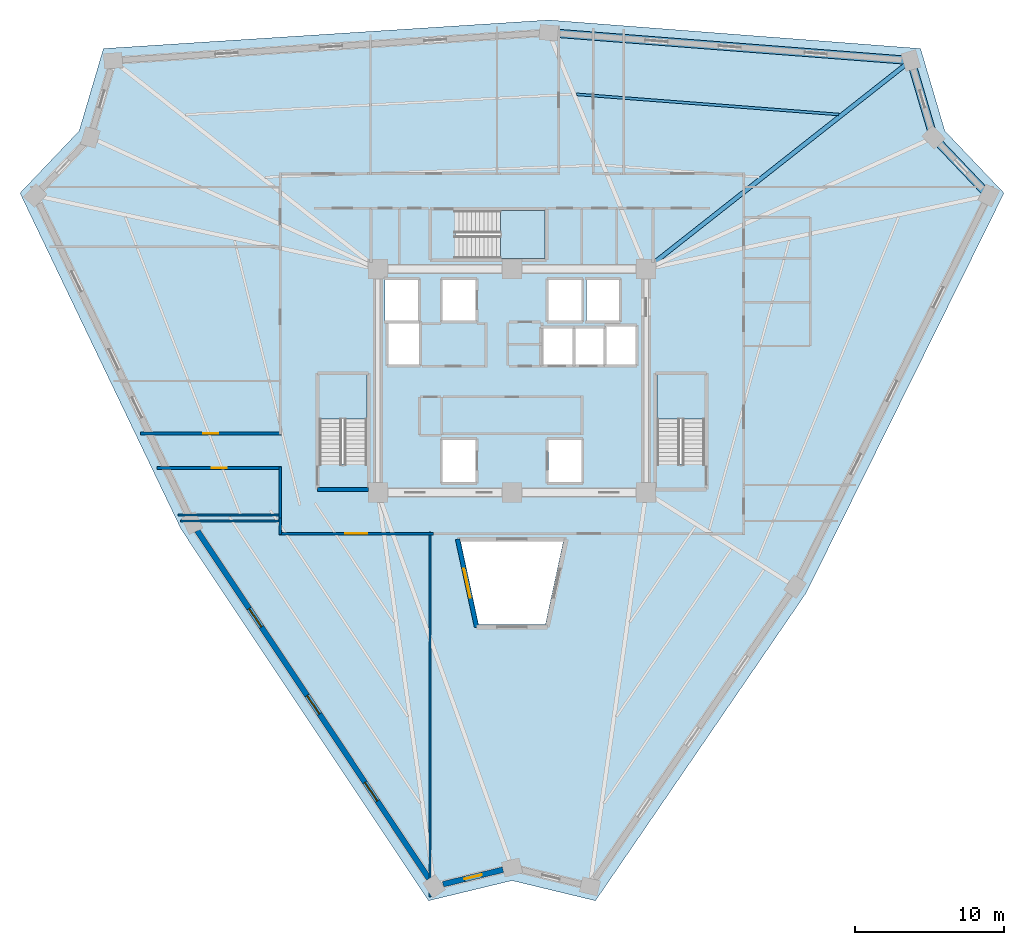
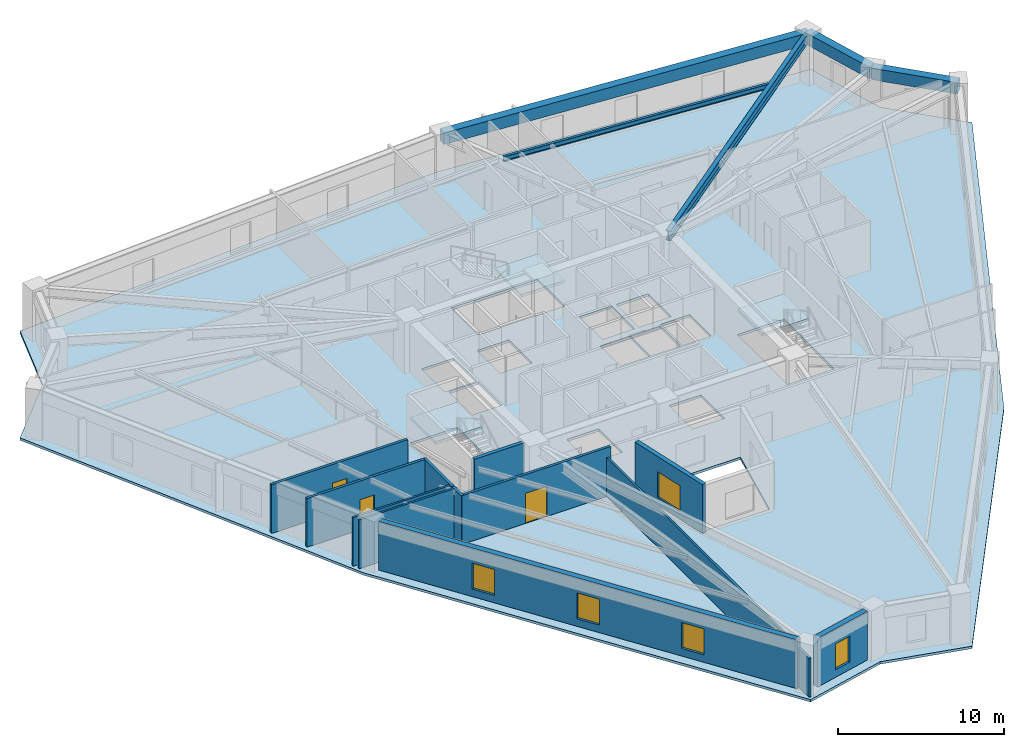
# One storey, part 2 of 8: 12 walls, 5 beams, 5 windows, 4 slabs, 3 doors, 8 openings, 3 elements without a shape of their own.
"""IFC4 building model written with IfcOpenShell, lengths in metres."""

from ifc_helpers import new_model, si_unit, direction, frame, frame_2d, origin, origin_2d, place, context, subcontext, project, spatial, polyline, rectangle, i_section, outline, extrude, source, transform, mapped, material, layer, layer_set, material_profile, profile_set, type_object, element, fill, aggregate, save


model = new_model("IFC4")

# Units and contexts
model_context = context("Model", 3, precision=1e-05, world=origin(), true_north=direction((0.0, 1.0)))
body_context = subcontext(model_context, "Body", "Model", "MODEL_VIEW")
ifc_project = project(units=[si_unit("LENGTHUNIT", "METRE"), si_unit("AREAUNIT", "SQUARE_METRE"), si_unit("VOLUMEUNIT", "CUBIC_METRE"), si_unit("PLANEANGLEUNIT", "RADIAN"), si_unit("MASSUNIT", "GRAM", prefix="KILO")], contexts=[model_context])

# Site, building, storey
site_placement = place(None, origin())
site = spatial("IfcSite", under=ifc_project, at=site_placement, CompositionType="ELEMENT")
building_placement = place(site_placement, origin())
building = spatial("IfcBuilding", under=site, at=building_placement, Name="Liaohun Quay Tower", CompositionType="ELEMENT")
storey_placement = place(building_placement, frame((0.0, 0.0, 247.5)))
storey = spatial("IfcBuildingStorey", under=building, at=storey_placement, Name="L64", CompositionType="ELEMENT", Elevation=247.5)

# Beams
ifc_material_1 = material(Name="Steel Q355D", Category="steel")
ifc_material_profile_1 = material_profile(ifc_material_1, i_section(OverallWidth=0.300048828125, OverallDepth=0.699951171875, WebThickness=0.012939453125, FlangeThickness=0.02392578125, at=origin_2d()), Name="HN700x300x13x24")
ifc_profile_set_1 = profile_set([ifc_material_profile_1], Name="Steel Q355D")
beam_type_1 = type_object("IfcBeamType", Name="BM-RAD-U1", PredefinedType="BEAM", material=ifc_profile_set_1)
shared_shape_1 = source(origin(), body_context, "Body", "SweptSolid", [
    extrude(i_section(OverallWidth=0.300048828125, OverallDepth=0.699951171875, WebThickness=0.012939453125, FlangeThickness=0.02392578125, at=origin_2d()), origin(), (0.0, 0.0, 1.0), 22.62939453125),
])
beam_1_placement = place(storey_placement, frame((69.0, 61.5, 3.219970703125), z_axis=(0.785620385804, 0.618708824415, 0.0), x_axis=(-0.618708824415, 0.785620385804, 0.0)))
element("IfcBeam", 1, at=beam_1_placement, inside=storey, type_object=beam_type_1, Name="L64 Radial Primary Girder CC4-PC07", PredefinedType="BEAM", context=body_context, shape_type="MappedRepresentation", body=[
    mapped(shared_shape_1, transform((0.0, 0.0, 0.0), x_axis=(1.0, 0.0, 0.0), y_axis=(0.0, 1.0, 0.0), z_axis=(0.0, 0.0, 1.0), scale=1.0)),
])
ifc_material_profile_2 = material_profile(ifc_material_1, i_section(OverallWidth=0.175048828125, OverallDepth=0.35009765625, WebThickness=0.007080078125, FlangeThickness=0.010986328125, at=origin_2d()), Name="HN350x175x7x11")
ifc_profile_set_2 = profile_set([ifc_material_profile_2], Name="Steel Q355D")
beam_type_2 = type_object("IfcBeamType", Name="BM-SEC-J3", PredefinedType="JOIST", material=ifc_profile_set_2)
shared_shape_2 = source(origin(), body_context, "Body", "SweptSolid", [
    extrude(i_section(OverallWidth=0.175048828125, OverallDepth=0.35009765625, WebThickness=0.007080078125, FlangeThickness=0.010986328125, at=origin_2d()), origin(), (0.0, 0.0, 1.0), 17.656005859375),
])
beam_2_placement = place(storey_placement, frame((64.3310546875, 73.23095703125, 3.39501953125), z_axis=(0.997059363844, -0.076633054037, 0.0), x_axis=(0.076633054037, 0.997059363844, 0.0)))
element("IfcBeam", 2, at=beam_2_placement, inside=storey, type_object=beam_type_2, Name="L64 Wing Secondary Floor Joist SJ-09", PredefinedType="JOIST", context=body_context, shape_type="MappedRepresentation", body=[
    mapped(shared_shape_2, transform((0.0, 0.0, 0.0), x_axis=(1.0, 0.0, 0.0), y_axis=(0.0, 1.0, 0.0), z_axis=(0.0, 0.0, 1.0), scale=1.0)),
])
ifc_material_2 = material(Name="Precast concrete C50", Category="concrete")
ifc_material_profile_3 = material_profile(ifc_material_2, rectangle(XDim=0.550048828125, YDim=0.85009765625, at=origin_2d()), Name="RC550x850")
ifc_profile_set_3 = profile_set([ifc_material_profile_3], Name="Precast concrete C50")
beam_type_3 = type_object("IfcBeamType", Name="BM-SPD-Z3", PredefinedType="SPANDREL", material=ifc_profile_set_3)
shared_shape_3 = source(origin(), body_context, "Body", "SweptSolid", [
    extrude(rectangle(XDim=0.550048828125, YDim=0.85009765625, at=origin_2d()), origin(), (0.0, 0.0, 1.0), 24.3857421875),
])
beam_3_placement = place(storey_placement, frame((62.464111328125, 77.3701171875, 3.14501953125), z_axis=(0.997058135672, -0.076649031898, 0.0), x_axis=(0.076649031898, 0.997058135672, 0.0)))
element("IfcBeam", 3, at=beam_3_placement, inside=storey, type_object=beam_type_3, Name="L64 Precast Spandrel Beam PC06-PC07", PredefinedType="SPANDREL", context=body_context, shape_type="MappedRepresentation", body=[
    mapped(shared_shape_3, transform((0.0, 0.0, 0.0), x_axis=(1.0, 0.0, 0.0), y_axis=(0.0, 1.0, 0.0), z_axis=(0.0, 0.0, 1.0), scale=1.0)),
])
shared_shape_4 = source(origin(), body_context, "Body", "SweptSolid", [
    extrude(rectangle(XDim=0.550048828125, YDim=0.85009765625, at=origin_2d()), origin(), (0.0, 0.0, 1.0), 5.3818359375),
])
beam_4_placement = place(storey_placement, frame((86.778076171875, 75.5009765625, 3.14501953125), z_axis=(0.282979158673, -0.959126058324, 0.0), x_axis=(0.959126058324, 0.282979158673, 0.0)))
element("IfcBeam", 4, at=beam_4_placement, inside=storey, type_object=beam_type_3, Name="L64 Precast Spandrel Beam PC07-PC08", PredefinedType="SPANDREL", context=body_context, shape_type="MappedRepresentation", body=[
    mapped(shared_shape_4, transform((0.0, 0.0, 0.0), x_axis=(1.0, 0.0, 0.0), y_axis=(0.0, 1.0, 0.0), z_axis=(0.0, 0.0, 1.0), scale=1.0)),
])
shared_shape_5 = source(origin(), body_context, "Body", "SweptSolid", [
    extrude(rectangle(XDim=0.550048828125, YDim=0.85009765625, at=origin_2d()), origin(), (0.0, 0.0, 1.0), 5.37353515625),
])
beam_5_placement = place(storey_placement, frame((88.301025390625, 70.339111328125, 3.14501953125), z_axis=(0.689281829079, -0.724493312669, 0.0), x_axis=(0.724493312669, 0.689281829079, 0.0)))
element("IfcBeam", 5, at=beam_5_placement, inside=storey, type_object=beam_type_3, Name="L64 Precast Spandrel Beam PC08-PC09", PredefinedType="SPANDREL", context=body_context, shape_type="MappedRepresentation", body=[
    mapped(shared_shape_5, transform((0.0, 0.0, 0.0), x_axis=(1.0, 0.0, 0.0), y_axis=(0.0, 1.0, 0.0), z_axis=(0.0, 0.0, 1.0), scale=1.0)),
])

# Stair, slab
ifc_material_3 = material(Name="Concrete C45", Category="concrete")
stair_type = type_object("IfcStairType", Name="STR-CORE-OFF", PredefinedType="HALF_TURN_STAIR", material=ifc_material_3)
stair_1_placement = place(storey_placement, origin())
stair_1 = element("IfcStair", 6, at=stair_1_placement, inside=storey, type_object=stair_type, Name="L64 Smokeproof Core Exit Stair ST-1", PredefinedType="HALF_TURN_STAIR")
ifc_layer_1 = layer(ifc_material_3, 0.199951171875, Name="Concrete C45", Category="concrete")
ifc_layer_set_1 = layer_set([ifc_layer_1], Name="Concrete C45")
slab_type_1 = type_object("IfcSlabType", Name="SLB-LND-200", PredefinedType="LANDING", material=ifc_layer_set_1)
slab_1_placement = place(storey_placement, frame((0.0, 0.0, 1.675048828125)))
slab_1 = element("IfcSlab", 7, at=slab_1_placement, type_object=slab_type_1, Name="ST-1 landing 1", PredefinedType="LANDING", context=body_context, shape_type="SweptSolid", body=[
    extrude(outline(polyline([(50.280029296875, 51.429931640625), (50.280029296875, 54.419921875), (47.0400390625, 54.419921875), (47.0400390625, 51.429931640625), (50.280029296875, 51.429931640625)])), origin(), (0.0, 0.0, 1.0), 0.199951171875),
])
aggregate(stair_1, [slab_1])

stair_2_placement = place(storey_placement, origin())
stair_2 = element("IfcStair", 8, at=stair_2_placement, inside=storey, type_object=stair_type, Name="L64 Smokeproof Core Exit Stair ST-2", PredefinedType="HALF_TURN_STAIR")
slab_2_placement = place(storey_placement, frame((0.0, 0.0, 1.675048828125)))
slab_2 = element("IfcSlab", 9, at=slab_2_placement, type_object=slab_type_1, Name="ST-2 landing 1", PredefinedType="LANDING", context=body_context, shape_type="SweptSolid", body=[
    extrude(outline(polyline([(72.9599609375, 51.429931640625), (72.9599609375, 54.419921875), (69.719970703125, 54.419921875), (69.719970703125, 51.429931640625), (72.9599609375, 51.429931640625)])), origin(), (0.0, 0.0, 1.0), 0.199951171875),
])
aggregate(stair_2, [slab_2])

stair_3_placement = place(storey_placement, origin())
stair_3 = element("IfcStair", 10, at=stair_3_placement, inside=storey, type_object=stair_type, Name="L64 Smokeproof Core Exit Stair ST-3", PredefinedType="HALF_TURN_STAIR")
slab_3_placement = place(storey_placement, frame((0.0, 0.0, 1.675048828125)))
slab_3 = element("IfcSlab", 11, at=slab_3_placement, type_object=slab_type_1, Name="ST-3 landing 1", PredefinedType="LANDING", context=body_context, shape_type="SweptSolid", body=[
    extrude(outline(polyline([(59.22998046875, 62.199951171875), (62.219970703125, 62.199951171875), (62.219970703125, 65.43994140625), (59.22998046875, 65.43994140625), (59.22998046875, 62.199951171875)])), origin(), (0.0, 0.0, 1.0), 0.199951171875),
])
aggregate(stair_3, [slab_3])

# Slab
ifc_layer_2 = layer(ifc_material_3, 0.179931640625, Name="Concrete C45", Category="concrete")
ifc_layer_set_2 = layer_set([ifc_layer_2], Name="Concrete C45")
slab_type_2 = type_object("IfcSlabType", Name="SLB-OFF-180", PredefinedType="FLOOR", material=ifc_layer_set_2)
slab_4_placement = place(storey_placement, frame((0.0, 0.0, -0.179931640625)))
element("IfcSlab", 12, at=slab_4_placement, inside=storey, type_object=slab_type_2, Name="L64 Structural Floor Slab", PredefinedType="FLOOR", context=body_context, shape_type="SweptSolid", body=[
    extrude(outline(polyline([(54.39794921875, 19.093994140625), (60.0, 20.447021484375), (65.60205078125, 19.093994140625), (79.742919921875, 39.7509765625), (93.030029296875, 66.60205078125), (89.05810546875, 70.77587890625), (87.427978515625, 76.303955078125), (62.468994140625, 78.221923828125), (32.572021484375, 76.303955078125), (30.94189453125, 70.77587890625), (26.969970703125, 66.60205078125), (37.7890625, 44.027099609375), (54.39794921875, 19.093994140625)]), holes=[polyline([(63.444091796875, 43.199951171875), (56.555908203125, 43.199951171875), (57.760986328125, 37.6240234375), (62.239013671875, 37.6240234375), (63.444091796875, 43.199951171875)]), polyline([(57.56005859375, 47.2099609375), (57.56005859375, 50.030029296875), (55.340087890625, 50.030029296875), (55.340087890625, 47.2099609375), (57.56005859375, 47.2099609375)]), polyline([(50.280029296875, 54.419921875), (47.0400390625, 54.419921875), (47.0400390625, 48.409912109375), (50.280029296875, 48.409912109375), (50.280029296875, 54.419921875)]), polyline([(53.760009765625, 55.090087890625), (53.760009765625, 57.909912109375), (51.7099609375, 57.909912109375), (51.7099609375, 55.090087890625), (53.760009765625, 55.090087890625)]), polyline([(53.7099609375, 58.0400390625), (53.7099609375, 60.7900390625), (51.489990234375, 60.7900390625), (51.489990234375, 58.0400390625), (53.7099609375, 58.0400390625)]), polyline([(57.56005859375, 58.0400390625), (57.56005859375, 60.7900390625), (55.340087890625, 60.7900390625), (55.340087890625, 58.0400390625), (57.56005859375, 58.0400390625)]), polyline([(62.219970703125, 62.199951171875), (62.219970703125, 65.43994140625), (56.2099609375, 65.43994140625), (56.2099609375, 62.199951171875), (62.219970703125, 62.199951171875)]), polyline([(64.659912109375, 50.030029296875), (62.43994140625, 50.030029296875), (62.43994140625, 47.2099609375), (64.659912109375, 47.2099609375), (64.659912109375, 50.030029296875)]), polyline([(72.9599609375, 54.419921875), (69.719970703125, 54.419921875), (69.719970703125, 48.409912109375), (72.9599609375, 48.409912109375), (72.9599609375, 54.419921875)]), polyline([(64.06005859375, 55.090087890625), (64.06005859375, 57.510009765625), (61.989990234375, 57.510009765625), (61.989990234375, 55.090087890625), (64.06005859375, 55.090087890625)]), polyline([(66.159912109375, 55.090087890625), (66.159912109375, 57.510009765625), (64.090087890625, 57.510009765625), (64.090087890625, 55.090087890625), (66.159912109375, 55.090087890625)]), polyline([(68.2900390625, 55.090087890625), (68.2900390625, 57.659912109375), (66.2900390625, 57.659912109375), (66.2900390625, 55.090087890625), (68.2900390625, 55.090087890625)]), polyline([(64.659912109375, 58.0400390625), (64.659912109375, 60.7900390625), (62.43994140625, 60.7900390625), (62.43994140625, 58.0400390625), (64.659912109375, 58.0400390625)]), polyline([(67.2099609375, 58.0400390625), (67.2099609375, 60.7900390625), (64.989990234375, 60.7900390625), (64.989990234375, 58.0400390625), (67.2099609375, 58.0400390625)])]), origin(), (0.0, 0.0, 1.0), 0.179931640625),
])

# Wall, opening, window
ifc_material_4 = material(Name="Concrete C50", Category="concrete")
ifc_layer_3 = layer(ifc_material_4, 0.300048828125, Name="Concrete C50", Category="concrete")
ifc_layer_set_3 = layer_set([ifc_layer_3], Name="Concrete C50")
wall_type_1 = type_object("IfcWallType", Name="WAL-ATR-300", PredefinedType="SOLIDWALL", material=ifc_layer_set_3)
wall_1_placement = place(storey_placement, frame((57.6240234375, 37.4541015625, 0.0), z_axis=(0.0, 0.0, 1.0), x_axis=(-0.211319253415, 0.977417092717, 0.0)))
wall_1 = element("IfcWall", 13, at=wall_1_placement, inside=storey, type_object=wall_type_1, Name="L64 Atrium Fire Compartment Wall 1", PredefinedType="SOLIDWALL", context=body_context, shape_type="SweptSolid", body=[
    extrude(rectangle(XDim=6.052734375, YDim=0.300048828125, at=frame_2d((3.0263671875, 0.0))), origin(), (0.0, 0.0, 1.0), 3.570068359375),
])
shared_shape_6 = source(origin(), body_context, "Body", "SweptSolid", [
    extrude(rectangle(XDim=2.0, YDim=1.89990234375, at=frame_2d((1.0, 0.949951171875))), frame((0.0, 0.159912109375, 0.0), z_axis=(0.0, -1.0, 0.0), x_axis=(1.0, 0.0, 0.0)), (0.0, 0.0, 1.0), 0.320068359375),
])
opening_1_placement = place(wall_1_placement, frame((2.02587890625, 0.0, 0.550048828125)))
opening_1 = element("IfcOpeningElement", 14, at=opening_1_placement, cuts=wall_1, Name="Opening W07", PredefinedType="OPENING", context=body_context, shape_type="MappedRepresentation", body=[
    mapped(shared_shape_6, transform((0.0, 0.0, 0.0), x_axis=(1.0, 0.0, 0.0), y_axis=(0.0, 1.0, 0.0), z_axis=(0.0, 0.0, 1.0), scale=1.0)),
])
ifc_material_5 = material(Name="Class A 180-min fire-resistant insulated glazing", Category="glass")
window_type_1 = type_object("IfcWindowType", Name="WIN-ATR-FIR", PartitioningType="DOUBLE_PANEL_VERTICAL", PredefinedType="WINDOW", material=ifc_material_5)
shared_shape_7 = source(origin(), body_context, "Body", "SweptSolid", [
    extrude(rectangle(XDim=2.0, YDim=1.89990234375, at=frame_2d((1.0, 0.949951171875))), frame((0.0, 0.030029296875, 0.0), z_axis=(0.0, -1.0, 0.0), x_axis=(1.0, 0.0, 0.0)), (0.0, 0.0, 1.0), 0.06005859375),
])
window_1_placement = place(opening_1_placement, origin())
window_1 = element("IfcWindow", 15, at=window_1_placement, inside=storey, type_object=window_type_1, Name="L64 Atrium Fire-Resistant Glazing W07-1", OverallHeight=1.89990234375, OverallWidth=2.0, PartitioningType="DOUBLE_PANEL_VERTICAL", PredefinedType="WINDOW", context=body_context, shape_type="MappedRepresentation", body=[
    mapped(shared_shape_7, transform((0.0, 0.0, 0.0), x_axis=(1.0, 0.0, 0.0), y_axis=(0.0, 1.0, 0.0), z_axis=(0.0, 0.0, 1.0), scale=1.0)),
])
fill(opening_1, window_1)

# Wall, openings, windows
ifc_material_6 = material(Name="Precast concrete C50 insulated sandwich", Category="concrete")
ifc_layer_4 = layer(ifc_material_6, 0.3798828125, Name="Precast concrete C50 insulated sandwich", Category="concrete")
ifc_layer_set_4 = layer_set([ifc_layer_4], Name="Precast concrete C50 insulated sandwich")
wall_type_2 = type_object("IfcWallType", Name="WAL-EXT-Z34", PredefinedType="SOLIDWALL", material=ifc_layer_set_4)
wall_2_placement = place(storey_placement, frame((38.87109375, 43.93603515625, 0.0), z_axis=(0.0, 0.0, 1.0), x_axis=(0.554403141281, -0.832248254391, 0.0)))
wall_2 = element("IfcWall", 16, at=wall_2_placement, inside=storey, type_object=wall_type_2, Name="L64 Brutalist Precast Pier Wall 11", PredefinedType="SOLIDWALL", context=body_context, shape_type="SweptSolid", body=[
    extrude(rectangle(XDim=28.073486328125, YDim=0.3798828125, at=frame_2d((14.03662109375, 0.0))), origin(), (0.0, 0.0, 1.0), 3.570068359375),
])
shared_shape_8 = source(origin(), body_context, "Body", "SweptSolid", [
    extrude(rectangle(XDim=1.5, YDim=1.89990234375, at=frame_2d((0.75, 0.949951171875))), frame((0.0, 0.199951171875, 0.0), z_axis=(0.0, -1.0, 0.0), x_axis=(1.0, 0.0, 0.0)), (0.0, 0.0, 1.0), 0.39990234375),
])
opening_2_placement = place(wall_2_placement, frame((6.26806640625, 0.0, 0.550048828125)))
opening_2 = element("IfcOpeningElement", 17, at=opening_2_placement, cuts=wall_2, Name="Opening W03", PredefinedType="OPENING", context=body_context, shape_type="MappedRepresentation", body=[
    mapped(shared_shape_8, transform((0.0, 0.0, 0.0), x_axis=(1.0, 0.0, 0.0), y_axis=(0.0, 1.0, 0.0), z_axis=(0.0, 0.0, 1.0), scale=1.0)),
])
opening_3_placement = place(wall_2_placement, frame((13.287109375, 0.0, 0.550048828125)))
opening_3 = element("IfcOpeningElement", 18, at=opening_3_placement, cuts=wall_2, Name="Opening W03", PredefinedType="OPENING", context=body_context, shape_type="MappedRepresentation", body=[
    mapped(shared_shape_8, transform((0.0, 0.0, 0.0), x_axis=(1.0, 0.0, 0.0), y_axis=(0.0, 1.0, 0.0), z_axis=(0.0, 0.0, 1.0), scale=1.0)),
])
opening_4_placement = place(wall_2_placement, frame((20.304931640625, 0.0, 0.550048828125)))
opening_4 = element("IfcOpeningElement", 19, at=opening_4_placement, cuts=wall_2, Name="Opening W03", PredefinedType="OPENING", context=body_context, shape_type="MappedRepresentation", body=[
    mapped(shared_shape_8, transform((0.0, 0.0, 0.0), x_axis=(1.0, 0.0, 0.0), y_axis=(0.0, 1.0, 0.0), z_axis=(0.0, 0.0, 1.0), scale=1.0)),
])
ifc_material_7 = material(Name="Triple Low-E argon glazing in thermally broken aluminium", Category="aluminium")
window_type_2 = type_object("IfcWindowType", Name="WIN-PUN-Z3", PartitioningType="DOUBLE_PANEL_VERTICAL", PredefinedType="WINDOW", material=ifc_material_7)
shared_shape_9 = source(origin(), body_context, "Body", "SweptSolid", [
    extrude(rectangle(XDim=1.5, YDim=1.89990234375, at=frame_2d((0.75, 0.949951171875))), frame((0.0, 0.030029296875, 0.0), z_axis=(0.0, -1.0, 0.0), x_axis=(1.0, 0.0, 0.0)), (0.0, 0.0, 1.0), 0.06005859375),
])
window_2_placement = place(opening_2_placement, origin())
window_2 = element("IfcWindow", 20, at=window_2_placement, inside=storey, type_object=window_type_2, Name="L64 Recessed Cold-Climate Punched Window 11-1", OverallHeight=1.89990234375, OverallWidth=1.5, PartitioningType="DOUBLE_PANEL_VERTICAL", PredefinedType="WINDOW", context=body_context, shape_type="MappedRepresentation", body=[
    mapped(shared_shape_9, transform((0.0, 0.0, 0.0), x_axis=(1.0, 0.0, 0.0), y_axis=(0.0, 1.0, 0.0), z_axis=(0.0, 0.0, 1.0), scale=1.0)),
])
fill(opening_2, window_2)
window_3_placement = place(opening_3_placement, origin())
window_3 = element("IfcWindow", 21, at=window_3_placement, inside=storey, type_object=window_type_2, Name="L64 Recessed Cold-Climate Punched Window 11-2", OverallHeight=1.89990234375, OverallWidth=1.5, PartitioningType="DOUBLE_PANEL_VERTICAL", PredefinedType="WINDOW", context=body_context, shape_type="MappedRepresentation", body=[
    mapped(shared_shape_9, transform((0.0, 0.0, 0.0), x_axis=(1.0, 0.0, 0.0), y_axis=(0.0, 1.0, 0.0), z_axis=(0.0, 0.0, 1.0), scale=1.0)),
])
fill(opening_3, window_3)
window_4_placement = place(opening_4_placement, origin())
window_4 = element("IfcWindow", 22, at=window_4_placement, inside=storey, type_object=window_type_2, Name="L64 Recessed Cold-Climate Punched Window 11-3", OverallHeight=1.89990234375, OverallWidth=1.5, PartitioningType="DOUBLE_PANEL_VERTICAL", PredefinedType="WINDOW", context=body_context, shape_type="MappedRepresentation", body=[
    mapped(shared_shape_9, transform((0.0, 0.0, 0.0), x_axis=(1.0, 0.0, 0.0), y_axis=(0.0, 1.0, 0.0), z_axis=(0.0, 0.0, 1.0), scale=1.0)),
])
fill(opening_4, window_4)

# Wall, opening, window
wall_3_placement = place(storey_placement, frame((55.3740234375, 20.2041015625, 0.0), z_axis=(0.0, 0.0, 1.0), x_axis=(0.972048835294, 0.234778750751, 0.0)))
wall_3 = element("IfcWall", 23, at=wall_3_placement, inside=storey, type_object=wall_type_2, Name="L64 Brutalist Precast Pier Wall 12", PredefinedType="SOLIDWALL", context=body_context, shape_type="SweptSolid", body=[
    extrude(rectangle(XDim=4.143798828125, YDim=0.3798828125, at=frame_2d((2.07177734375, 0.0))), origin(), (0.0, 0.0, 1.0), 3.570068359375),
])
shared_shape_10 = source(origin(), body_context, "Body", "SweptSolid", [
    extrude(rectangle(XDim=1.199951171875, YDim=1.89990234375, at=frame_2d((0.60009765625, 0.949951171875))), frame((0.0, 0.199951171875, 0.0), z_axis=(0.0, -1.0, 0.0), x_axis=(1.0, 0.0, 0.0)), (0.0, 0.0, 1.0), 0.39990234375),
])
opening_5_placement = place(wall_3_placement, frame((1.471923828125, 0.0, 0.550048828125)))
opening_5 = element("IfcOpeningElement", 24, at=opening_5_placement, cuts=wall_3, Name="Opening W05", PredefinedType="OPENING", context=body_context, shape_type="MappedRepresentation", body=[
    mapped(shared_shape_10, transform((0.0, 0.0, 0.0), x_axis=(1.0, 0.0, 0.0), y_axis=(0.0, 1.0, 0.0), z_axis=(0.0, 0.0, 1.0), scale=1.0)),
])
ifc_material_8 = material(Name="Triple Low-E corner notch glazing", Category="glass")
window_type_3 = type_object("IfcWindowType", Name="WIN-NOTCH", PartitioningType="SINGLE_PANEL", PredefinedType="WINDOW", material=ifc_material_8)
shared_shape_11 = source(origin(), body_context, "Body", "SweptSolid", [
    extrude(rectangle(XDim=1.199951171875, YDim=1.89990234375, at=frame_2d((0.60009765625, 0.949951171875))), frame((0.0, 0.030029296875, 0.0), z_axis=(0.0, -1.0, 0.0), x_axis=(1.0, 0.0, 0.0)), (0.0, 0.0, 1.0), 0.06005859375),
])
window_5_placement = place(opening_5_placement, origin())
window_5 = element("IfcWindow", 25, at=window_5_placement, inside=storey, type_object=window_type_3, Name="L64 Corner Notch Window W05-12", OverallHeight=1.89990234375, OverallWidth=1.199951171875, PartitioningType="SINGLE_PANEL", PredefinedType="WINDOW", context=body_context, shape_type="MappedRepresentation", body=[
    mapped(shared_shape_11, transform((0.0, 0.0, 0.0), x_axis=(1.0, 0.0, 0.0), y_axis=(0.0, 1.0, 0.0), z_axis=(0.0, 0.0, 1.0), scale=1.0)),
])
fill(opening_5, window_5)

# Wall, opening, door
ifc_material_9 = material(Name="Autoclaved aerated concrete blockwork", Category="masonry")
ifc_layer_5 = layer(ifc_material_9, 0.179931640625, Name="Autoclaved aerated concrete blockwork", Category="masonry")
ifc_layer_set_5 = layer_set([ifc_layer_5], Name="Autoclaved aerated concrete blockwork")
wall_type_3 = type_object("IfcWallType", Name="WAL-PRT-COR", PredefinedType="PARTITIONING", material=ifc_layer_set_5)
wall_4_placement = place(storey_placement, frame((35.056884765625, 50.4599609375, 0.0), z_axis=(0.0, 0.0, 1.0), x_axis=(1.0, 0.0, 0.0)))
wall_4 = element("IfcWall", 26, at=wall_4_placement, inside=storey, type_object=wall_type_3, Name="L64 Interior Partition Wall 024", PredefinedType="PARTITIONING", context=body_context, shape_type="SweptSolid", body=[
    extrude(rectangle(XDim=9.453125, YDim=0.179931640625, at=frame_2d((4.7265625, 0.0))), origin(), (0.0, 0.0, 1.0), 3.570068359375),
])
shared_shape_12 = source(origin(), body_context, "Body", "SweptSolid", [
    extrude(rectangle(XDim=1.0, YDim=2.199951171875, at=frame_2d((0.5, 1.10009765625))), frame((0.0, 0.099853515625, 0.0), z_axis=(0.0, -1.0, 0.0), x_axis=(1.0, 0.0, 0.0)), (0.0, 0.0, 1.0), 0.199951171875),
])
opening_6_placement = place(wall_4_placement, frame((4.22607421875, 0.0, 0.0)))
opening_6 = element("IfcOpeningElement", 27, at=opening_6_placement, cuts=wall_4, Name="Opening OD1", PredefinedType="OPENING", context=body_context, shape_type="MappedRepresentation", body=[
    mapped(shared_shape_12, transform((0.0, 0.0, 0.0), x_axis=(1.0, 0.0, 0.0), y_axis=(0.0, 1.0, 0.0), z_axis=(0.0, 0.0, 1.0), scale=1.0)),
])
ifc_material_10 = material(Name="Solid-core oak veneer timber leaf in steel frame", Category="steel")
door_type_1 = type_object("IfcDoorType", Name="DOR-OFF-1000", OperationType="NOTDEFINED", PredefinedType="DOOR", material=ifc_material_10)
shared_shape_13 = source(origin(), body_context, "Body", "SweptSolid", [
    extrude(rectangle(XDim=1.0, YDim=2.199951171875, at=frame_2d((0.5, 1.10009765625))), frame((0.0, 0.02490234375, 0.0), z_axis=(0.0, -1.0, 0.0), x_axis=(1.0, 0.0, 0.0)), (0.0, 0.0, 1.0), 0.050048828125),
])
door_1_placement = place(opening_6_placement, origin())
door_1 = element("IfcDoor", 28, at=door_1_placement, inside=storey, type_object=door_type_1, Name="L64 Records Archive Store 09 Door", OperationType="SINGLE_SWING_RIGHT", OverallHeight=2.199951171875, OverallWidth=1.0, PredefinedType="DOOR", context=body_context, shape_type="MappedRepresentation", body=[
    mapped(shared_shape_13, transform((0.0, 0.0, 0.0), x_axis=(1.0, 0.0, 0.0), y_axis=(0.0, 1.0, 0.0), z_axis=(0.0, 0.0, 1.0), scale=1.0)),
])
fill(opening_6, door_1)

wall_5_placement = place(storey_placement, frame((44.510009765625, 48.139892578125, 0.0), z_axis=(0.0, 0.0, 1.0), x_axis=(-1.0, 0.0, 0.0)))
wall_5 = element("IfcWall", 29, at=wall_5_placement, inside=storey, type_object=wall_type_3, Name="L64 Interior Partition Wall 025", PredefinedType="PARTITIONING", context=body_context, shape_type="SweptSolid", body=[
    extrude(rectangle(XDim=8.341064453125, YDim=0.179931640625, at=frame_2d((4.17041015625, 0.0))), origin(), (0.0, 0.0, 1.0), 3.570068359375),
])
opening_7_placement = place(wall_5_placement, frame((3.6708984375, 0.0, 0.0)))
opening_7 = element("IfcOpeningElement", 30, at=opening_7_placement, cuts=wall_5, Name="Opening OD1", PredefinedType="OPENING", context=body_context, shape_type="MappedRepresentation", body=[
    mapped(shared_shape_12, transform((0.0, 0.0, 0.0), x_axis=(1.0, 0.0, 0.0), y_axis=(0.0, 1.0, 0.0), z_axis=(0.0, 0.0, 1.0), scale=1.0)),
])
door_2_placement = place(opening_7_placement, origin())
door_2 = element("IfcDoor", 31, at=door_2_placement, inside=storey, type_object=door_type_1, Name="L64 Open-Plan Office Workplace 10 Door", OperationType="SINGLE_SWING_LEFT", OverallHeight=2.199951171875, OverallWidth=1.0, PredefinedType="DOOR", context=body_context, shape_type="MappedRepresentation", body=[
    mapped(shared_shape_13, transform((0.0, 0.0, 0.0), x_axis=(1.0, 0.0, 0.0), y_axis=(0.0, 1.0, 0.0), z_axis=(0.0, 0.0, 1.0), scale=1.0)),
])
fill(opening_7, door_2)

wall_6_placement = place(storey_placement, frame((54.715087890625, 43.739990234375, 0.0), z_axis=(0.0, 0.0, 1.0), x_axis=(-1.0, 0.0, 0.0)))
wall_6 = element("IfcWall", 32, at=wall_6_placement, inside=storey, type_object=wall_type_3, Name="L64 Interior Partition Wall 026", PredefinedType="PARTITIONING", context=body_context, shape_type="SweptSolid", body=[
    extrude(rectangle(XDim=10.344970703125, YDim=0.179931640625, at=frame_2d((5.17236328125, 0.0))), origin(), (0.0, 0.0, 1.0), 3.570068359375),
])
shared_shape_14 = source(origin(), body_context, "Body", "SweptSolid", [
    extrude(rectangle(XDim=1.5, YDim=2.199951171875, at=frame_2d((0.75, 1.10009765625))), frame((0.0, 0.099853515625, 0.0), z_axis=(0.0, -1.0, 0.0), x_axis=(1.0, 0.0, 0.0)), (0.0, 0.0, 1.0), 0.199951171875),
])
opening_8_placement = place(wall_6_placement, frame((4.423095703125, 0.0, 0.0)))
opening_8 = element("IfcOpeningElement", 33, at=opening_8_placement, cuts=wall_6, Name="Opening OD2", PredefinedType="OPENING", context=body_context, shape_type="MappedRepresentation", body=[
    mapped(shared_shape_14, transform((0.0, 0.0, 0.0), x_axis=(1.0, 0.0, 0.0), y_axis=(0.0, 1.0, 0.0), z_axis=(0.0, 0.0, 1.0), scale=1.0)),
])
ifc_material_11 = material(Name="Acoustic oak veneer double door")
door_type_2 = type_object("IfcDoorType", Name="DOR-OFF-1500", OperationType="DOUBLE_DOOR_SINGLE_SWING", PredefinedType="DOOR", material=ifc_material_11)
shared_shape_15 = source(origin(), body_context, "Body", "SweptSolid", [
    extrude(rectangle(XDim=1.5, YDim=2.199951171875, at=frame_2d((0.75, 1.10009765625))), frame((0.0, 0.02490234375, 0.0), z_axis=(0.0, -1.0, 0.0), x_axis=(1.0, 0.0, 0.0)), (0.0, 0.0, 1.0), 0.050048828125),
])
door_3_placement = place(opening_8_placement, origin())
door_3 = element("IfcDoor", 34, at=door_3_placement, inside=storey, type_object=door_type_2, Name="L64 Executive Partner Office 11 Door", OperationType="DOUBLE_DOOR_SINGLE_SWING", OverallHeight=2.199951171875, OverallWidth=1.5, PredefinedType="DOOR", context=body_context, shape_type="MappedRepresentation", body=[
    mapped(shared_shape_15, transform((0.0, 0.0, 0.0), x_axis=(1.0, 0.0, 0.0), y_axis=(0.0, 1.0, 0.0), z_axis=(0.0, 0.0, 1.0), scale=1.0)),
])
fill(opening_8, door_3)

# Walls
wall_7_placement = place(storey_placement, frame((44.43994140625, 44.784912109375, 0.0), z_axis=(0.0, 0.0, 1.0), x_axis=(0.0, 1.0, 0.0)))
element("IfcWall", 35, at=wall_7_placement, inside=storey, type_object=wall_type_3, Name="L64 Interior Partition Wall 051", PredefinedType="PARTITIONING", context=body_context, shape_type="SweptSolid", body=[
    extrude(rectangle(XDim=3.425048828125, YDim=0.179931640625, at=frame_2d((1.71240234375, 0.0))), origin(), (0.0, 0.0, 1.0), 3.570068359375),
])
wall_8_placement = place(storey_placement, frame((44.43994140625, 43.669921875, 0.0), z_axis=(0.0, 0.0, 1.0), x_axis=(0.0, 1.0, 0.0)))
element("IfcWall", 36, at=wall_8_placement, inside=storey, type_object=wall_type_3, Name="L64 Interior Partition Wall 052", PredefinedType="PARTITIONING", context=body_context, shape_type="SweptSolid", body=[
    extrude(rectangle(XDim=1.114990234375, YDim=0.179931640625, at=frame_2d((0.5576171875, 0.0))), origin(), (0.0, 0.0, 1.0), 3.570068359375),
])
ifc_material_12 = material(Name="Gypsum board on twin steel studs", Category="steel")
ifc_layer_6 = layer(ifc_material_12, 0.139892578125, Name="Gypsum board on twin steel studs", Category="steel")
ifc_layer_set_6 = layer_set([ifc_layer_6], Name="Gypsum board on twin steel studs")
wall_type_4 = type_object("IfcWallType", Name="WAL-PRT-OFF", PredefinedType="PARTITIONING", material=ifc_layer_set_6)
wall_9_placement = place(storey_placement, frame((44.5400390625, 44.60009765625, 0.0), z_axis=(0.0, 0.0, 1.0), x_axis=(-1.0, 0.0, 0.0)))
element("IfcWall", 37, at=wall_9_placement, inside=storey, type_object=wall_type_4, Name="L64 Interior Partition Wall 054", PredefinedType="PARTITIONING", context=body_context, shape_type="SweptSolid", body=[
    extrude(rectangle(XDim=6.781982421875, YDim=0.139892578125, at=frame_2d((3.39111328125, 0.0))), origin(), (0.0, 0.0, 1.0), 3.570068359375),
])
wall_10_placement = place(storey_placement, frame((44.5400390625, 45.0, 0.0), z_axis=(0.0, 0.0, 1.0), x_axis=(-1.0, 0.0, 0.0)))
element("IfcWall", 38, at=wall_10_placement, inside=storey, type_object=wall_type_4, Name="L64 Interior Partition Wall 055", PredefinedType="PARTITIONING", context=body_context, shape_type="SweptSolid", body=[
    extrude(rectangle(XDim=6.97314453125, YDim=0.139892578125, at=frame_2d((3.486572265625, 0.0))), origin(), (0.0, 0.0, 1.0), 3.570068359375),
])
wall_11_placement = place(storey_placement, frame((54.5, 43.840087890625, 0.0), z_axis=(0.0, 0.0, 1.0), x_axis=(0.0, -1.0, 0.0)))
element("IfcWall", 39, at=wall_11_placement, inside=storey, type_object=wall_type_4, Name="L64 Interior Partition Wall 065", PredefinedType="PARTITIONING", context=body_context, shape_type="SweptSolid", body=[
    extrude(rectangle(XDim=24.4951171875, YDim=0.139892578125, at=frame_2d((12.24755859375, 0.0))), origin(), (0.0, 0.0, 1.0), 2.85498046875),
])
ifc_layer_7 = layer(ifc_material_4, 0.239990234375, Name="Concrete C50", Category="concrete")
ifc_layer_set_7 = layer_set([ifc_layer_7], Name="Concrete C50")
wall_type_5 = type_object("IfcWallType", Name="WAL-SHF-200", PredefinedType="SOLIDWALL", material=ifc_layer_set_7)
wall_12_placement = place(storey_placement, frame((46.93994140625, 46.699951171875, 0.0), z_axis=(0.0, 0.0, 1.0), x_axis=(1.0, 0.0, 0.0)))
element("IfcWall", 40, at=wall_12_placement, inside=storey, type_object=wall_type_5, Name="L64 Stairwell ST-1 Structural Core Wall S", PredefinedType="SOLIDWALL", context=body_context, shape_type="SweptSolid", body=[
    extrude(rectangle(XDim=3.43994140625, YDim=0.239990234375, at=frame_2d((1.719970703125, 0.0))), origin(), (0.0, 0.0, 1.0), 3.570068359375),
])

save(model, "model.ifc")
